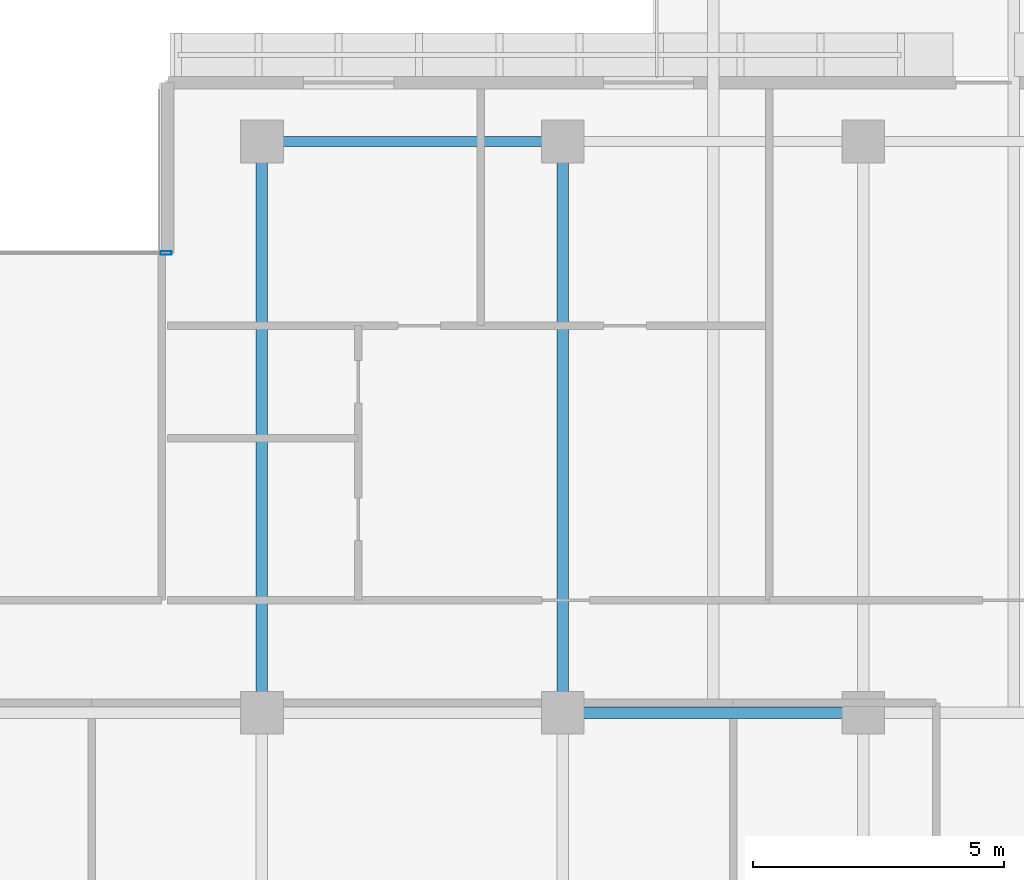
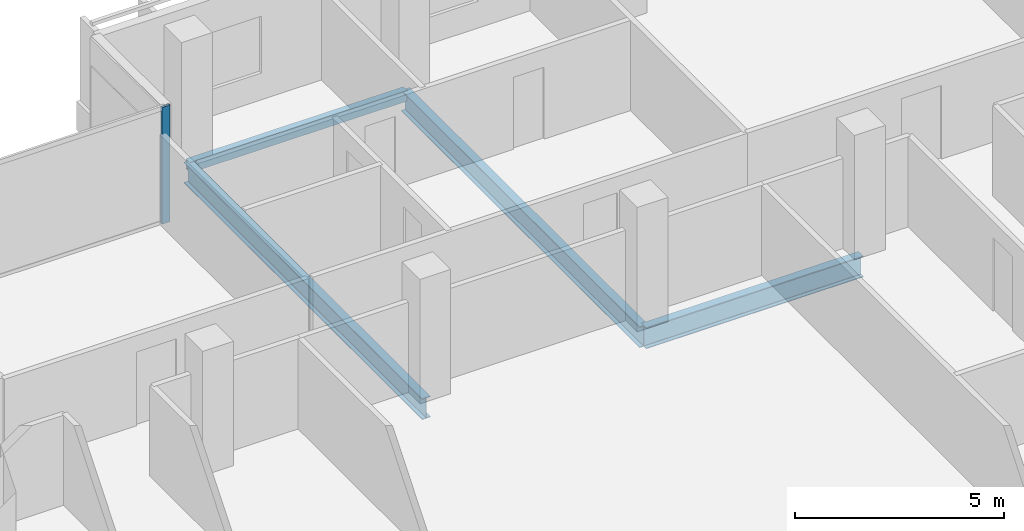
# One storey, part 11 of 30: 4 beams, 1 member, 1 element without a shape of its own.
"""IFC4 building model written with IfcOpenShell, lengths in metres."""

from ifc_helpers import new_model, si_unit, direction, frame, origin, origin_2d, place, context, subcontext, project, spatial, hollow_rectangle, i_section, extrude, material, layer, layer_set, material_profile, profile_set, type_object, element, aggregate, save


model = new_model("IFC4")

# Units and contexts
model_context = context("Model", 3, precision=1e-05, world=origin(), true_north=direction((0.0, 1.0)))
body_context = subcontext(model_context, "Body", "Model", "MODEL_VIEW")
ifc_project = project(units=[si_unit("LENGTHUNIT", "METRE"), si_unit("AREAUNIT", "SQUARE_METRE"), si_unit("VOLUMEUNIT", "CUBIC_METRE"), si_unit("PLANEANGLEUNIT", "RADIAN"), si_unit("MASSUNIT", "GRAM", prefix="KILO")], contexts=[model_context])

# Site, building, storey
site_placement = place(None, origin())
site = spatial("IfcSite", under=ifc_project, at=site_placement, CompositionType="ELEMENT")
building_placement = place(site_placement, origin())
building = spatial("IfcBuilding", under=site, at=building_placement, Name="Tanjung Sevakor Pilgrim Tower", CompositionType="ELEMENT")
storey_placement = place(building_placement, frame((0.0, 0.0, 165.659912109375)))
storey = spatial("IfcBuildingStorey", under=building, at=storey_placement, Name="L46", CompositionType="ELEMENT", Elevation=165.659912109375)

# Beams
ifc_material_1 = material(Name="Steel S355J2", Category="steel")
ifc_material_profile_1 = material_profile(ifc_material_1, i_section(OverallWidth=0.230224609375, OverallDepth=0.6171875, WebThickness=0.01318359375, FlangeThickness=0.022216796875, FilletRadius=0.0126953125, at=origin_2d()))
ifc_profile_set_1 = profile_set([ifc_material_profile_1], Name="Steel S355J2")
beam_type_1 = type_object("IfcBeamType", Name="BM-B-G3-UB_610x229x140", PredefinedType="BEAM", material=ifc_profile_set_1)
beam_1_placement = place(storey_placement, frame((60.0, 42.60009765625, -0.528564453125), z_axis=(1.0, 0.0, 0.0), x_axis=(0.0, 1.0, 0.0)))
element("IfcBeam", 1, at=beam_1_placement, inside=storey, type_object=beam_type_1, Name="L46 Primary Floor Girder MAIN Y426-05", PredefinedType="BEAM", context=body_context, shape_type="SweptSolid", body=[
    extrude(i_section(OverallWidth=0.230224609375, OverallDepth=0.6171875, WebThickness=0.01318359375, FlangeThickness=0.022216796875, FilletRadius=0.0126953125, at=origin_2d()), origin(), (0.0, 0.0, 1.0), 6.0),
])
ifc_material_2 = material(Name="Steel S355J2", Category="steel")
ifc_material_profile_2 = material_profile(ifc_material_2, i_section(OverallWidth=0.22900390625, OverallDepth=0.6123046875, WebThickness=0.011962890625, FlangeThickness=0.01953125, FilletRadius=0.0126953125, at=origin_2d()))
ifc_profile_set_2 = profile_set([ifc_material_profile_2], Name="Steel S355J2")
beam_type_2 = type_object("IfcBeamType", Name="BM-B-G4-UB_610x229x125", PredefinedType="BEAM", material=ifc_profile_set_2)
for number, where, z_axis, x_axis, name in (
    (2, (54.0, 42.60009765625, -0.526123046875), (0.0, 1.0, 0.0), (-1.0, 0.0, 0.0), "L46 MAIN Girder 011"),
    (3, (60.0, 42.60009765625, -0.526123046875), (0.0, 1.0, 0.0), (-1.0, 0.0, 0.0), "L46 MAIN Girder 014"),
):
    element("IfcBeam", number, at=place(storey_placement, frame(where, z_axis=z_axis, x_axis=x_axis)), inside=storey, type_object=beam_type_2, Name=name, PredefinedType="BEAM", context=body_context, shape_type="SweptSolid", body=[
        extrude(i_section(OverallWidth=0.22900390625, OverallDepth=0.6123046875, WebThickness=0.011962890625, FlangeThickness=0.01953125, FilletRadius=0.0126953125, at=origin_2d()), origin(), (0.0, 0.0, 1.0), 11.39990234375),
    ])
ifc_material_3 = material(Name="Steel S355J2", Category="steel")
ifc_material_profile_3 = material_profile(ifc_material_3, hollow_rectangle(XDim=0.199951171875, YDim=0.300048828125, WallThickness=0.012451171875, at=origin_2d()))
ifc_profile_set_3 = profile_set([ifc_material_profile_3], Name="Steel S355J2")
beam_type_3 = type_object("IfcBeamType", Name="BM-B-SP3-RHS_300x200x12.5", PredefinedType="SPANDREL", material=ifc_profile_set_3)
beam_2_placement = place(storey_placement, frame((54.0, 54.0, -0.369873046875), z_axis=(1.0, 0.0, 0.0), x_axis=(0.0, 1.0, 0.0)))
element("IfcBeam", 4, at=beam_2_placement, inside=storey, type_object=beam_type_3, Name="L46 Spandrel MAIN N-08", PredefinedType="SPANDREL", context=body_context, shape_type="SweptSolid", body=[
    extrude(hollow_rectangle(XDim=0.199951171875, YDim=0.300048828125, WallThickness=0.012451171875, at=origin_2d()), origin(), (0.0, 0.0, 1.0), 6.0),
])

# Curtain wall, member
ifc_material_4 = material(Name="Aluminium 6063-T6 and Low-E Glass", Category="aluminium")
ifc_layer = layer(ifc_material_4, 0.179931640625)
ifc_layer_set = layer_set([ifc_layer], Name="CW-SYS-CLEFT")
curtain_wall_type = type_object("IfcCurtainWallType", Name="CW-SYS-CLEFT", PredefinedType="NOTDEFINED", material=ifc_layer_set)
curtain_wall_placement = place(storey_placement, origin())
curtain_wall = element("IfcCurtainWall", 5, at=curtain_wall_placement, inside=storey, type_object=curtain_wall_type, Name="L46 Curtain Wall CW-CLF-L46-10", PredefinedType="NOTDEFINED")
ifc_material_5 = material(Name="Aluminium 6063-T6", Category="aluminium")
ifc_material_profile_4 = material_profile(ifc_material_5, hollow_rectangle(XDim=0.074951171875, YDim=0.219970703125, WallThickness=0.0048828125, at=origin_2d()))
ifc_profile_set_4 = profile_set([ifc_material_profile_4], Name="Aluminium 6063-T6")
member_type = type_object("IfcMemberType", Name="TYPE-CWM-2", PredefinedType="MULLION", material=ifc_profile_set_4)
member_placement = place(storey_placement, frame((52.08740234375, 51.77490234375, 0.0), z_axis=(0.0, 0.0, 1.0), x_axis=(0.0, -1.0, 0.0)))
member = element("IfcMember", 6, at=member_placement, type_object=member_type, Name="CW-CLF mullion 1", PredefinedType="MULLION", context=body_context, shape_type="SweptSolid", body=[
    extrude(hollow_rectangle(XDim=0.074951171875, YDim=0.219970703125, WallThickness=0.0048828125, at=origin_2d()), origin(), (0.0, 0.0, 1.0), 3.41015625),
])
aggregate(curtain_wall, [member])

save(model, "model.ifc")
